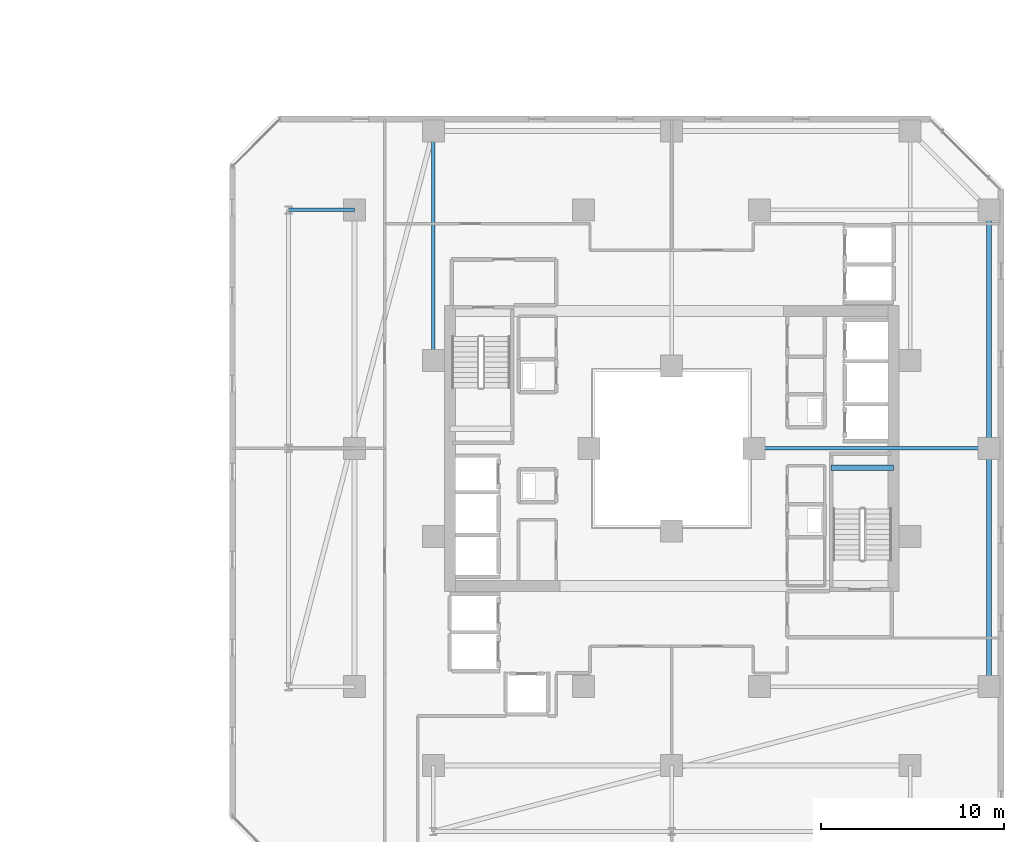
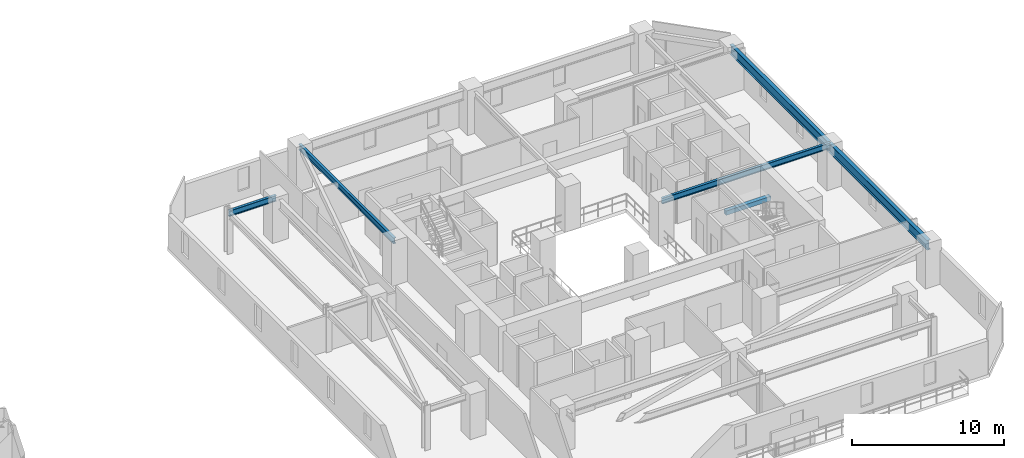
# One storey, part 14 of 33: 6 beams.
"""IFC4 building model written with IfcOpenShell, lengths in metres."""

from ifc_helpers import new_model, si_unit, direction, frame, origin, origin_2d, place, context, subcontext, project, spatial, rectangle, i_section, extrude, material, material_profile, profile_set, type_object, element, save


model = new_model("IFC4")

# Units and contexts
model_context = context("Model", 3, precision=1e-05, world=origin(), true_north=direction((0.0, 1.0)))
body_context = subcontext(model_context, "Body", "Model", "MODEL_VIEW")
ifc_project = project(units=[si_unit("LENGTHUNIT", "METRE"), si_unit("AREAUNIT", "SQUARE_METRE"), si_unit("VOLUMEUNIT", "CUBIC_METRE"), si_unit("PLANEANGLEUNIT", "RADIAN"), si_unit("MASSUNIT", "GRAM", prefix="KILO")], contexts=[model_context])

# Site, building, storey
site_placement = place(None, origin())
site = spatial("IfcSite", under=ifc_project, at=site_placement, CompositionType="ELEMENT")
building_placement = place(site_placement, origin())
building = spatial("IfcBuilding", under=site, at=building_placement, Name="Thornwick Lancets Civic Towers", CompositionType="ELEMENT")
storey_placement = place(building_placement, frame((0.0, 0.0, 101.699951171875)))
storey = spatial("IfcBuildingStorey", under=building, at=storey_placement, Name="L26", CompositionType="ELEMENT", Elevation=101.699951171875)

# Beams
ifc_material_1 = material(Name="Steel S355JR", Category="steel")
ifc_material_profile_1 = material_profile(ifc_material_1, i_section(OverallWidth=0.26806640625, OverallDepth=0.769775390625, WebThickness=0.015625, FlangeThickness=0.025390625, FilletRadius=0.0166015625, at=origin_2d()), Name="UKB 762x267x197")
ifc_profile_set_1 = profile_set([ifc_material_profile_1], Name="Steel S355JR")
beam_type_1 = type_object("IfcBeamType", Name="BM_GIRD_762_197", PredefinedType="BEAM", material=ifc_profile_set_1)
beam_1_placement = place(storey_placement, frame((105.800048828125, 14.0, 2.97509765625), z_axis=(0.0, 1.0, 0.0), x_axis=(-1.0, 0.0, 0.0)))
element("IfcBeam", 1, at=beam_1_placement, inside=storey, type_object=beam_type_1, Name="BM-SPINE-L26-B-0-1", PredefinedType="BEAM", context=body_context, shape_type="SweptSolid", body=[
    extrude(i_section(OverallWidth=0.26806640625, OverallDepth=0.769775390625, WebThickness=0.015625, FlangeThickness=0.025390625, FilletRadius=0.0166015625, at=origin_2d()), origin(), (0.0, 0.0, 1.0), 13.0),
])
beam_2_placement = place(storey_placement, frame((105.800048828125, 27.080078125, 2.97509765625), z_axis=(0.0, 1.0, 0.0), x_axis=(-1.0, 0.0, 0.0)))
element("IfcBeam", 2, at=beam_2_placement, inside=storey, type_object=beam_type_1, Name="BM-SPINE-L26-B-1-2", PredefinedType="BEAM", context=body_context, shape_type="SweptSolid", body=[
    extrude(i_section(OverallWidth=0.26806640625, OverallDepth=0.769775390625, WebThickness=0.015625, FlangeThickness=0.025390625, FilletRadius=0.0166015625, at=origin_2d()), origin(), (0.0, 0.0, 1.0), 12.919921875),
])
ifc_material_profile_2 = material_profile(ifc_material_1, i_section(OverallWidth=0.19287109375, OverallDepth=0.46728515625, WebThickness=0.011474609375, FlangeThickness=0.01953125, FilletRadius=0.01025390625, at=origin_2d()), Name="UKB 457x191x98")
ifc_profile_set_2 = profile_set([ifc_material_profile_2], Name="Steel S355JR")
beam_type_2 = type_object("IfcBeamType", Name="BM_JOIST_457_98", PredefinedType="JOIST", material=ifc_profile_set_2)
beam_3_placement = place(storey_placement, frame((93.0, 27.0, 3.12646484375), z_axis=(1.0, 0.0, 0.0), x_axis=(0.0, 1.0, 0.0)))
element("IfcBeam", 3, at=beam_3_placement, inside=storey, type_object=beam_type_2, Name="BM-RADIN-L26-B02", PredefinedType="JOIST", context=body_context, shape_type="SweptSolid", body=[
    extrude(i_section(OverallWidth=0.19287109375, OverallDepth=0.46728515625, WebThickness=0.011474609375, FlangeThickness=0.01953125, FilletRadius=0.01025390625, at=origin_2d()), origin(), (0.0, 0.0, 1.0), 12.800048828125),
])
beam_4_placement = place(storey_placement, frame((75.5, 31.800048828125, 3.12646484375), z_axis=(0.0, 1.0, 0.0), x_axis=(-1.0, 0.0, 0.0)))
element("IfcBeam", 4, at=beam_4_placement, inside=storey, type_object=beam_type_2, Name="BM-RADIN-L26-B06", PredefinedType="JOIST", context=body_context, shape_type="SweptSolid", body=[
    extrude(i_section(OverallWidth=0.19287109375, OverallDepth=0.46728515625, WebThickness=0.011474609375, FlangeThickness=0.01953125, FilletRadius=0.01025390625, at=origin_2d()), origin(), (0.0, 0.0, 1.0), 12.5),
])
beam_5_placement = place(storey_placement, frame((71.199951171875, 40.0, 3.12646484375), z_axis=(-1.0, 0.0, 0.0), x_axis=(0.0, -1.0, 0.0)))
element("IfcBeam", 5, at=beam_5_placement, inside=storey, type_object=beam_type_2, Name="BM-RAD-L26-B09", PredefinedType="JOIST", context=body_context, shape_type="SweptSolid", body=[
    extrude(i_section(OverallWidth=0.19287109375, OverallDepth=0.46728515625, WebThickness=0.011474609375, FlangeThickness=0.01953125, FilletRadius=0.01025390625, at=origin_2d()), origin(), (0.0, 0.0, 1.0), 3.599853515625),
])
ifc_material_2 = material(Name="Concrete C40/50", Category="concrete")
ifc_material_profile_3 = material_profile(ifc_material_2, rectangle(XDim=0.300048828125, YDim=0.35009765625, at=origin_2d()), Name="RC 300x350")
ifc_profile_set_3 = profile_set([ifc_material_profile_3], Name="Concrete C40/50")
beam_type_3 = type_object("IfcBeamType", Name="BM_STAIR_LDG", PredefinedType="BEAM", material=ifc_profile_set_3)
beam_6_placement = place(storey_placement, frame((100.60009765625, 25.93505859375, 1.3779296875), z_axis=(-1.0, 0.0, 0.0), x_axis=(0.0, -1.0, 0.0)))
element("IfcBeam", 6, at=beam_6_placement, inside=storey, type_object=beam_type_3, Name="L26 ST-B1 Landing Support Beam 1", PredefinedType="BEAM", context=body_context, shape_type="SweptSolid", body=[
    extrude(rectangle(XDim=0.300048828125, YDim=0.35009765625, at=origin_2d()), origin(), (0.0, 0.0, 1.0), 3.400146484375),
])

save(model, "model.ifc")
